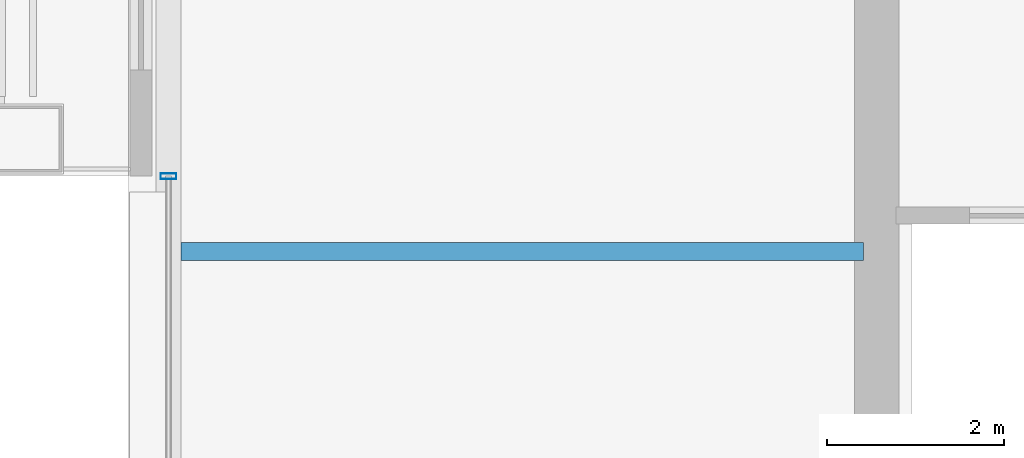
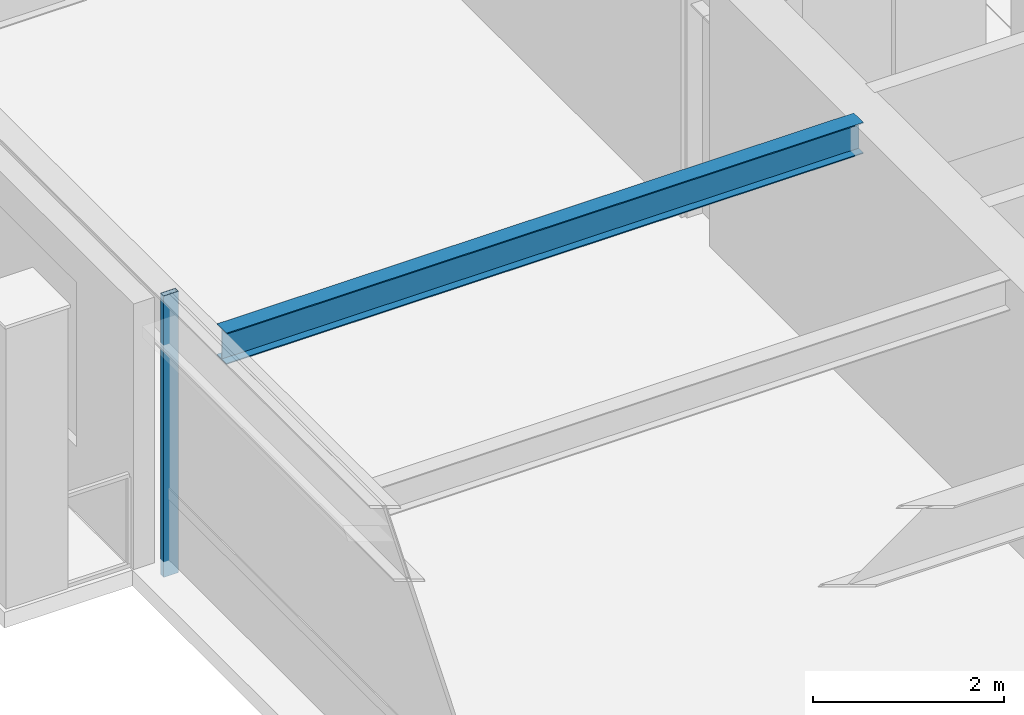
# One storey, part 9 of 31: 1 beam, 1 member, 1 element without a shape of its own.
"""IFC4 building model written with IfcOpenShell, lengths in metres."""

from ifc_helpers import new_model, si_unit, direction, frame, origin, origin_2d, place, context, subcontext, project, spatial, hollow_rectangle, i_section, extrude, material, layer, layer_set, material_profile, profile_set, type_object, element, aggregate, save


model = new_model("IFC4")

# Units and contexts
model_context = context("Model", 3, precision=1e-05, world=origin(), true_north=direction((0.0, 1.0)))
body_context = subcontext(model_context, "Body", "Model", "MODEL_VIEW")
ifc_project = project(units=[si_unit("LENGTHUNIT", "METRE"), si_unit("AREAUNIT", "SQUARE_METRE"), si_unit("VOLUMEUNIT", "CUBIC_METRE"), si_unit("PLANEANGLEUNIT", "RADIAN"), si_unit("MASSUNIT", "GRAM", prefix="KILO")], contexts=[model_context])

# Site, building, storey
site_placement = place(None, origin())
site = spatial("IfcSite", under=ifc_project, at=site_placement, CompositionType="ELEMENT")
building_placement = place(site_placement, origin())
building = spatial("IfcBuilding", under=site, at=building_placement, Name="Brelmoor Portico Tower", CompositionType="ELEMENT")
storey_placement = place(building_placement, frame((0.0, 0.0, 106.199951171875)))
storey = spatial("IfcBuildingStorey", under=building, at=storey_placement, Name="L27", CompositionType="ELEMENT", Elevation=106.199951171875)

# Beam
ifc_material_1 = material(Name="Steel Q355B", Category="steel")
ifc_material_profile_1 = material_profile(ifc_material_1, i_section(OverallWidth=0.199951171875, OverallDepth=0.39990234375, WebThickness=0.008056640625, FlangeThickness=0.012939453125, at=origin_2d()), Name="HN 400x200x8x13")
ifc_profile_set_1 = profile_set([ifc_material_profile_1], Name="Steel Q355B")
beam_type = type_object("IfcBeamType", Name="BM-JS-400", PredefinedType="JOIST", material=ifc_profile_set_1)
beam_placement = place(storey_placement, frame((-22.409912109375, -3.25, 3.199951171875), z_axis=(1.0, 0.0, 0.0), x_axis=(0.0, 1.0, 0.0)))
element("IfcBeam", 1, at=beam_placement, inside=storey, type_object=beam_type, Name="L27 Secondary Wing Joist JS-W06", PredefinedType="JOIST", context=body_context, shape_type="SweptSolid", body=[
    extrude(i_section(OverallWidth=0.199951171875, OverallDepth=0.39990234375, WebThickness=0.008056640625, FlangeThickness=0.012939453125, at=origin_2d()), origin(), (0.0, 0.0, 1.0), 7.7099609375),
])

# Curtain wall, member
ifc_material_2 = material(Name="Anodised Aluminium Alloy 6063-T6", Category="aluminium")
ifc_layer = layer(ifc_material_2, 0.179931640625)
ifc_layer_set = layer_set([ifc_layer], Name="Anodised Aluminium Alloy 6063-T6")
curtain_wall_type = type_object("IfcCurtainWallType", Name="CW-TOWER-Z2", PredefinedType="NOTDEFINED", material=ifc_layer_set)
curtain_wall_placement = place(storey_placement, origin())
curtain_wall = element("IfcCurtainWall", 2, at=curtain_wall_placement, inside=storey, type_object=curtain_wall_type, Name="L27 Curtain Wall CW-L27-3L-2", PredefinedType="NOTDEFINED")
ifc_material_profile_2 = material_profile(ifc_material_2, hollow_rectangle(XDim=0.06494140625, YDim=0.179931640625, WallThickness=0.00390625, at=origin_2d()), Name="ALU MULLION 65x180")
ifc_profile_set_2 = profile_set([ifc_material_profile_2], Name="Anodised Aluminium Alloy 6063-T6")
member_type = type_object("IfcMemberType", Name="MB-CW-MULL-180", PredefinedType="MULLION", material=ifc_profile_set_2)
member_placement = place(storey_placement, frame((-22.550048828125, -2.39990234375, -0.199951171875), z_axis=(0.0, 0.0, 1.0), x_axis=(0.0, 1.0, 0.0)))
member = element("IfcMember", 3, at=member_placement, type_object=member_type, Name="CW-L27-3L-2 Mullion 01", PredefinedType="MULLION", context=body_context, shape_type="SweptSolid", body=[
    extrude(hollow_rectangle(XDim=0.06494140625, YDim=0.179931640625, WallThickness=0.00390625, at=origin_2d()), origin(), (0.0, 0.0, 1.0), 3.60009765625),
])
aggregate(curtain_wall, [member])

save(model, "model.ifc")
